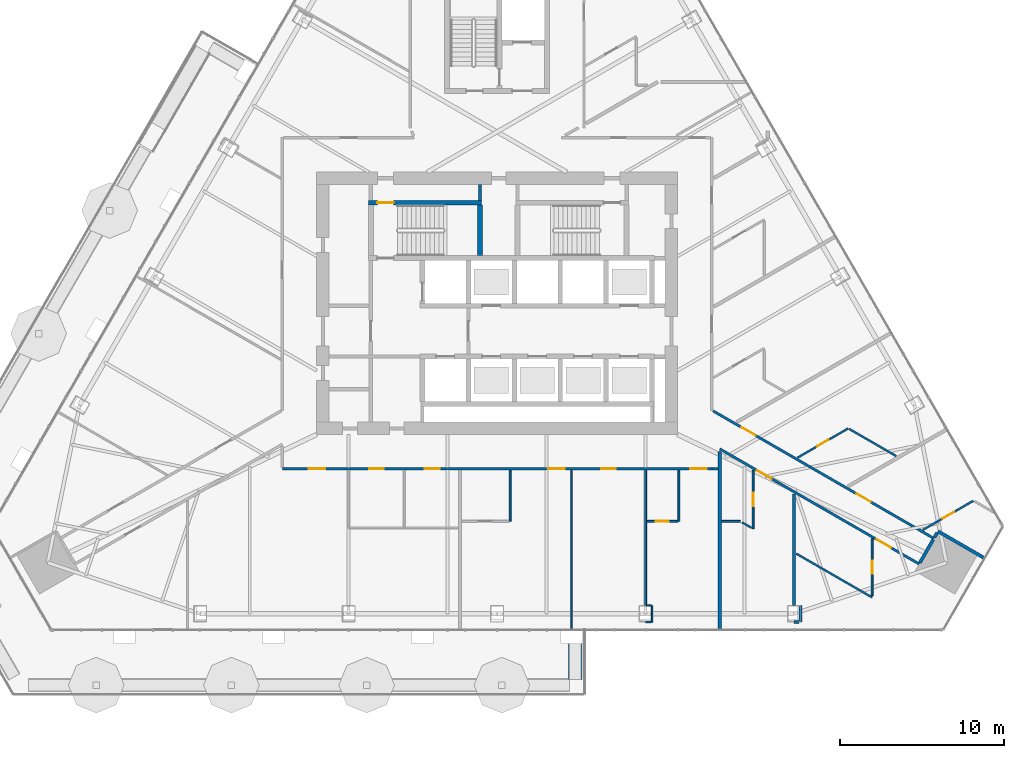
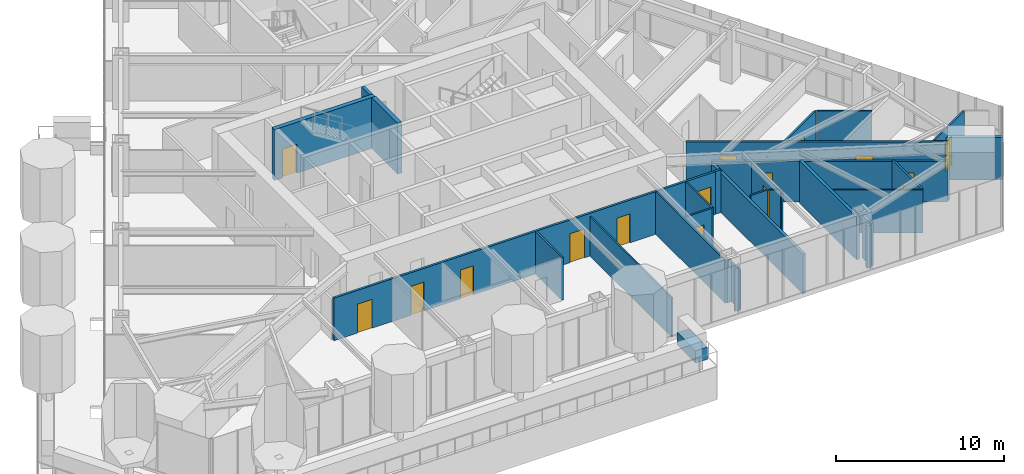
# One storey, part 26 of 32: 31 walls, 16 doors, 16 openings.
"""IFC4 building model written with IfcOpenShell, lengths in metres."""

from ifc_helpers import new_model, si_unit, direction, frame, frame_2d, origin, place, context, subcontext, project, spatial, rectangle, extrude, material, layer, layer_set, type_object, element, fill, save


model = new_model("IFC4")

# Units and contexts
model_context = context("Model", 3, precision=1e-05, world=origin(), true_north=direction((0.0, 1.0)))
body_context = subcontext(model_context, "Body", "Model", "MODEL_VIEW")
ifc_project = project(units=[si_unit("LENGTHUNIT", "METRE"), si_unit("AREAUNIT", "SQUARE_METRE"), si_unit("VOLUMEUNIT", "CUBIC_METRE"), si_unit("PLANEANGLEUNIT", "RADIAN"), si_unit("MASSUNIT", "GRAM", prefix="KILO")], contexts=[model_context])

# Site, building, storey
site_placement = place(None, origin())
site = spatial("IfcSite", under=ifc_project, at=site_placement, CompositionType="ELEMENT")
building_placement = place(site_placement, origin())
building = spatial("IfcBuilding", under=site, at=building_placement, Name="Firuza Gate Tower and Library", CompositionType="ELEMENT")
storey_placement = place(building_placement, frame((0.0, 0.0, 163.60009765625)))
storey = spatial("IfcBuildingStorey", under=building, at=storey_placement, Name="L37", CompositionType="ELEMENT", Elevation=163.60009765625)

# Wall
ifc_material_1 = material(Name="Plasterboard on steel studs", Category="steel")
ifc_layer_1 = layer(ifc_material_1, 0.199951171875)
ifc_layer_set_1 = layer_set([ifc_layer_1], Name="Core partition 200 EI 60")
wall_type_1 = type_object("IfcWallType", Name="Core partition 200 EI 60", PredefinedType="PARTITIONING", material=ifc_layer_set_1)
wall_1_placement = place(storey_placement, frame((73.9599609375, 81.280029296875, 0.0), z_axis=(0.0, 0.0, 1.0), x_axis=(0.0, 1.0, 0.0)))
element("IfcWall", 1, at=wall_1_placement, inside=storey, type_object=wall_type_1, Name="Core partition L37 12", PredefinedType="PARTITIONING", context=body_context, shape_type="SweptSolid", body=[
    extrude(rectangle(XDim=0.969970703125, YDim=0.199951171875, at=frame_2d((0.48486328125, 0.0))), origin(), (0.0, 0.0, 1.0), 3.699951171875),
])

# Wall, opening, door
ifc_material_2 = material(Name="Concrete C80/95", Category="concrete")
ifc_layer_2 = layer(ifc_material_2, 0.300048828125)
ifc_layer_set_2 = layer_set([ifc_layer_2], Name="Core wall 300 C80/95")
wall_type_2 = type_object("IfcWallType", Name="Core wall 300 C80/95", PredefinedType="SHEAR", material=ifc_layer_set_2)
wall_2_placement = place(storey_placement, frame((67.14990234375, 81.1298828125, 0.0), z_axis=(0.0, 0.0, 1.0), x_axis=(1.0, 0.0, 0.0)))
wall_2 = element("IfcWall", 2, at=wall_2_placement, inside=storey, type_object=wall_type_2, Name="Core wall L37 21", PredefinedType="SHEAR", context=body_context, shape_type="SweptSolid", body=[
    extrude(rectangle(XDim=6.91015625, YDim=0.300048828125, at=frame_2d((3.455078125, 0.0))), origin(), (0.0, 0.0, 1.0), 3.699951171875),
])
opening_1_placement = place(wall_2_placement, frame((0.544921875, 0.0, 0.0)))
opening_1 = element("IfcOpeningElement", 3, at=opening_1_placement, cuts=wall_2, Name="Opening L37-K11", PredefinedType="OPENING", context=body_context, shape_type="SweptSolid", body=[
    extrude(rectangle(XDim=1.0, YDim=2.10009765625, at=frame_2d((0.5, 1.050048828125))), frame((0.0, 0.16015625, 0.0), z_axis=(0.0, -1.0, 0.0), x_axis=(1.0, 0.0, 0.0)), (0.0, 0.0, 1.0), 0.320068359375),
])
ifc_material_3 = material(Name="Steel", Category="steel")
door_type_1 = type_object("IfcDoorType", Name="Fire door 1000x2100 FD90", OperationType="NOTDEFINED", PredefinedType="DOOR", material=ifc_material_3)
door_1_placement = place(opening_1_placement, origin())
door_1 = element("IfcDoor", 4, at=door_1_placement, inside=storey, type_object=door_type_1, Name="Door L37-K11", OperationType="SINGLE_SWING_RIGHT", OverallHeight=2.10009765625, OverallWidth=1.0, PredefinedType="DOOR", context=body_context, shape_type="SweptSolid", body=[
    extrude(rectangle(XDim=1.0, YDim=2.10009765625, at=frame_2d((0.5, 1.050048828125))), frame((0.0, 0.02490234375, 0.0), z_axis=(0.0, -1.0, 0.0), x_axis=(1.0, 0.0, 0.0)), (0.0, 0.0, 1.0), 0.050048828125),
])
fill(opening_1, door_1)

# Wall
wall_3_placement = place(storey_placement, frame((73.9599609375, 77.89990234375, 0.0), z_axis=(0.0, 0.0, 1.0), x_axis=(0.0, 1.0, 0.0)))
element("IfcWall", 5, at=wall_3_placement, inside=storey, type_object=wall_type_2, Name="Core wall L37 24", PredefinedType="SHEAR", context=body_context, shape_type="SweptSolid", body=[
    extrude(rectangle(XDim=3.080078125, YDim=0.300048828125, at=frame_2d((1.5400390625, 0.0))), origin(), (0.0, 0.0, 1.0), 3.699951171875),
])

# Wall, openings, doors
ifc_material_4 = material(Name="Gypsum board partition")
ifc_layer_3 = layer(ifc_material_4, 0.14990234375)
ifc_layer_set_3 = layer_set([ifc_layer_3], Name="Corridor wall 150 double board on steel studs")
wall_type_3 = type_object("IfcWallType", Name="Corridor wall 150 double board on steel studs", PredefinedType="PARTITIONING", material=ifc_layer_set_3)
wall_4_placement = place(storey_placement, frame((88.099609375, 64.89990234375, 0.0), z_axis=(0.0, 0.0, 1.0), x_axis=(-1.0, 0.0, 0.0)))
wall_4 = element("IfcWall", 6, at=wall_4_placement, inside=storey, type_object=wall_type_3, Name="f:L37:w007", PredefinedType="PARTITIONING", context=body_context, shape_type="SweptSolid", body=[
    extrude(rectangle(XDim=26.19921875, YDim=0.14990234375, at=frame_2d((13.099609375, 0.0))), origin(), (0.0, 0.0, 1.0), 3.099853515625),
])
opening_2_placement = place(wall_4_placement, frame((0.32177734375, 0.0, 0.0)))
opening_2 = element("IfcOpeningElement", 7, at=opening_2_placement, cuts=wall_4, Name="Opening L37-03", PredefinedType="OPENING", context=body_context, shape_type="SweptSolid", body=[
    extrude(rectangle(XDim=1.0, YDim=2.10009765625, at=frame_2d((0.5, 1.050048828125))), frame((0.0, 0.0849609375, 0.0), z_axis=(0.0, -1.0, 0.0), x_axis=(1.0, 0.0, 0.0)), (0.0, 0.0, 1.0), 0.169921875),
])
opening_3_placement = place(wall_4_placement, frame((5.859130859375, 0.0, 0.0)))
opening_3 = element("IfcOpeningElement", 8, at=opening_3_placement, cuts=wall_4, Name="Opening L37-04", PredefinedType="OPENING", context=body_context, shape_type="SweptSolid", body=[
    extrude(rectangle(XDim=0.89990234375, YDim=2.10009765625, at=frame_2d((0.449951171875, 1.050048828125))), frame((0.0, 0.0849609375, 0.0), z_axis=(0.0, -1.0, 0.0), x_axis=(1.0, 0.0, 0.0)), (0.0, 0.0, 1.0), 0.169921875),
])
opening_4_placement = place(wall_4_placement, frame((8.980712890625, 0.0, 0.0)))
opening_4 = element("IfcOpeningElement", 9, at=opening_4_placement, cuts=wall_4, Name="Opening L37-05", PredefinedType="OPENING", context=body_context, shape_type="SweptSolid", body=[
    extrude(rectangle(XDim=1.0, YDim=2.10009765625, at=frame_2d((0.5, 1.050048828125))), frame((0.0, 0.0849609375, 0.0), z_axis=(0.0, -1.0, 0.0), x_axis=(1.0, 0.0, 0.0)), (0.0, 0.0, 1.0), 0.169921875),
])
opening_5_placement = place(wall_4_placement, frame((16.610595703125, 0.0, 0.0)))
opening_5 = element("IfcOpeningElement", 10, at=opening_5_placement, cuts=wall_4, Name="Opening L37-06", PredefinedType="OPENING", context=body_context, shape_type="SweptSolid", body=[
    extrude(rectangle(XDim=0.89990234375, YDim=2.10009765625, at=frame_2d((0.449951171875, 1.050048828125))), frame((0.0, 0.0849609375, 0.0), z_axis=(0.0, -1.0, 0.0), x_axis=(1.0, 0.0, 0.0)), (0.0, 0.0, 1.0), 0.169921875),
])
opening_6_placement = place(wall_4_placement, frame((20.005859375, 0.0, 0.0)))
opening_6 = element("IfcOpeningElement", 11, at=opening_6_placement, cuts=wall_4, Name="Opening L37-07", PredefinedType="OPENING", context=body_context, shape_type="SweptSolid", body=[
    extrude(rectangle(XDim=0.89990234375, YDim=2.10009765625, at=frame_2d((0.449951171875, 1.050048828125))), frame((0.0, 0.0849609375, 0.0), z_axis=(0.0, -1.0, 0.0), x_axis=(1.0, 0.0, 0.0)), (0.0, 0.0, 1.0), 0.169921875),
])
opening_7_placement = place(wall_4_placement, frame((23.57470703125, 0.0, 0.0)))
opening_7 = element("IfcOpeningElement", 12, at=opening_7_placement, cuts=wall_4, Name="Opening L37-08", PredefinedType="OPENING", context=body_context, shape_type="SweptSolid", body=[
    extrude(rectangle(XDim=1.0, YDim=2.10009765625, at=frame_2d((0.5, 1.050048828125))), frame((0.0, 0.0849609375, 0.0), z_axis=(0.0, -1.0, 0.0), x_axis=(1.0, 0.0, 0.0)), (0.0, 0.0, 1.0), 0.169921875),
])
ifc_material_5 = material(Name="Steel door and timber leaf", Category="steel")
door_type_2 = type_object("IfcDoorType", Name="Fire door 1000 x 2100 steel frame, timber leaf", OperationType="NOTDEFINED", PredefinedType="DOOR", material=ifc_material_5)
door_2_placement = place(opening_2_placement, origin())
door_2 = element("IfcDoor", 13, at=door_2_placement, inside=storey, type_object=door_type_2, Name="f:L37:d003", OperationType="SINGLE_SWING_LEFT", OverallHeight=2.10009765625, OverallWidth=1.0, PredefinedType="DOOR", context=body_context, shape_type="SweptSolid", body=[
    extrude(rectangle(XDim=1.0, YDim=2.10009765625, at=frame_2d((0.5, 1.050048828125))), frame((0.0, 0.02490234375, 0.0), z_axis=(0.0, -1.0, 0.0), x_axis=(1.0, 0.0, 0.0)), (0.0, 0.0, 1.0), 0.050048828125),
])
fill(opening_2, door_2)
door_3_placement = place(opening_4_placement, origin())
door_3 = element("IfcDoor", 14, at=door_3_placement, inside=storey, type_object=door_type_2, Name="f:L37:d005", OperationType="SINGLE_SWING_RIGHT", OverallHeight=2.10009765625, OverallWidth=1.0, PredefinedType="DOOR", context=body_context, shape_type="SweptSolid", body=[
    extrude(rectangle(XDim=1.0, YDim=2.10009765625, at=frame_2d((0.5, 1.050048828125))), frame((0.0, 0.02490234375, 0.0), z_axis=(0.0, -1.0, 0.0), x_axis=(1.0, 0.0, 0.0)), (0.0, 0.0, 1.0), 0.050048828125),
])
fill(opening_4, door_3)
door_4_placement = place(opening_7_placement, origin())
door_4 = element("IfcDoor", 15, at=door_4_placement, inside=storey, type_object=door_type_2, Name="f:L37:d008", OperationType="SINGLE_SWING_LEFT", OverallHeight=2.10009765625, OverallWidth=1.0, PredefinedType="DOOR", context=body_context, shape_type="SweptSolid", body=[
    extrude(rectangle(XDim=1.0, YDim=2.10009765625, at=frame_2d((0.5, 1.050048828125))), frame((0.0, 0.02490234375, 0.0), z_axis=(0.0, -1.0, 0.0), x_axis=(1.0, 0.0, 0.0)), (0.0, 0.0, 1.0), 0.050048828125),
])
fill(opening_7, door_4)
ifc_material_6 = material(Name="Steel door and timber leaf", Category="steel")
door_type_3 = type_object("IfcDoorType", Name="Fire door 900 x 2100 steel frame, timber leaf", OperationType="NOTDEFINED", PredefinedType="DOOR", material=ifc_material_6)
door_5_placement = place(opening_3_placement, origin())
door_5 = element("IfcDoor", 16, at=door_5_placement, inside=storey, type_object=door_type_3, Name="f:L37:d004", OperationType="SINGLE_SWING_RIGHT", OverallHeight=2.10009765625, OverallWidth=0.89990234375, PredefinedType="DOOR", context=body_context, shape_type="SweptSolid", body=[
    extrude(rectangle(XDim=0.89990234375, YDim=2.10009765625, at=frame_2d((0.449951171875, 1.050048828125))), frame((0.0, 0.02490234375, 0.0), z_axis=(0.0, -1.0, 0.0), x_axis=(1.0, 0.0, 0.0)), (0.0, 0.0, 1.0), 0.050048828125),
])
fill(opening_3, door_5)
door_6_placement = place(opening_5_placement, origin())
door_6 = element("IfcDoor", 17, at=door_6_placement, inside=storey, type_object=door_type_3, Name="f:L37:d006", OperationType="SINGLE_SWING_LEFT", OverallHeight=2.10009765625, OverallWidth=0.89990234375, PredefinedType="DOOR", context=body_context, shape_type="SweptSolid", body=[
    extrude(rectangle(XDim=0.89990234375, YDim=2.10009765625, at=frame_2d((0.449951171875, 1.050048828125))), frame((0.0, 0.02490234375, 0.0), z_axis=(0.0, -1.0, 0.0), x_axis=(1.0, 0.0, 0.0)), (0.0, 0.0, 1.0), 0.050048828125),
])
fill(opening_5, door_6)
door_7_placement = place(opening_6_placement, origin())
door_7 = element("IfcDoor", 18, at=door_7_placement, inside=storey, type_object=door_type_3, Name="f:L37:d007", OperationType="SINGLE_SWING_RIGHT", OverallHeight=2.10009765625, OverallWidth=0.89990234375, PredefinedType="DOOR", context=body_context, shape_type="SweptSolid", body=[
    extrude(rectangle(XDim=0.89990234375, YDim=2.10009765625, at=frame_2d((0.449951171875, 1.050048828125))), frame((0.0, 0.02490234375, 0.0), z_axis=(0.0, -1.0, 0.0), x_axis=(1.0, 0.0, 0.0)), (0.0, 0.0, 1.0), 0.050048828125),
])
fill(opening_6, door_7)

# Wall
wall_5_placement = place(storey_placement, frame((88.10009765625, 64.9189453125, 0.0), z_axis=(0.0, 0.0, 1.0), x_axis=(1.0, 0.0, 0.0)))
element("IfcWall", 19, at=wall_5_placement, inside=storey, type_object=wall_type_3, Name="f:L37:w008", PredefinedType="PARTITIONING", context=body_context, shape_type="SweptSolid", body=[
    extrude(rectangle(XDim=0.380859375, YDim=0.14990234375, at=frame_2d((0.1904296875, 0.0))), origin(), (0.0, 0.0, 1.0), 3.099853515625),
])

# Wall, openings, doors
wall_6_placement = place(storey_placement, frame((88.175048828125, 68.4326171875, 0.0), z_axis=(0.0, 0.0, 1.0), x_axis=(0.866030530892, -0.499991119485, 0.0)))
wall_6 = element("IfcWall", 20, at=wall_6_placement, inside=storey, type_object=wall_type_3, Name="f:L37:w074", PredefinedType="PARTITIONING", context=body_context, shape_type="SweptSolid", body=[
    extrude(rectangle(XDim=15.548583984375, YDim=0.14990234375, at=frame_2d((7.7744140625, 0.0))), origin(), (0.0, 0.0, 1.0), 3.099853515625),
])
opening_8_placement = place(wall_6_placement, frame((2.0029296875, 0.0, 0.0)))
opening_8 = element("IfcOpeningElement", 21, at=opening_8_placement, cuts=wall_6, Name="Opening L37-31", PredefinedType="OPENING", context=body_context, shape_type="SweptSolid", body=[
    extrude(rectangle(XDim=1.0, YDim=2.10009765625, at=frame_2d((0.5, 1.050048828125))), frame((0.0, 0.0849609375, 0.0), z_axis=(0.0, -1.0, 0.0), x_axis=(1.0, 0.0, 0.0)), (0.0, 0.0, 1.0), 0.169921875),
])
opening_9_placement = place(wall_6_placement, frame((10.096435546875, 0.0, 0.0)))
opening_9 = element("IfcOpeningElement", 22, at=opening_9_placement, cuts=wall_6, Name="Opening L37-32", PredefinedType="OPENING", context=body_context, shape_type="SweptSolid", body=[
    extrude(rectangle(XDim=1.0, YDim=2.10009765625, at=frame_2d((0.5, 1.050048828125))), frame((0.0, 0.0849609375, 0.0), z_axis=(0.0, -1.0, 0.0), x_axis=(1.0, 0.0, 0.0)), (0.0, 0.0, 1.0), 0.169921875),
])
door_8_placement = place(opening_8_placement, origin())
door_8 = element("IfcDoor", 23, at=door_8_placement, inside=storey, type_object=door_type_2, Name="f:L37:d031", OperationType="SINGLE_SWING_LEFT", OverallHeight=2.10009765625, OverallWidth=1.0, PredefinedType="DOOR", context=body_context, shape_type="SweptSolid", body=[
    extrude(rectangle(XDim=1.0, YDim=2.10009765625, at=frame_2d((0.5, 1.050048828125))), frame((0.0, 0.02490234375, 0.0), z_axis=(0.0, -1.0, 0.0), x_axis=(1.0, 0.0, 0.0)), (0.0, 0.0, 1.0), 0.050048828125),
])
fill(opening_8, door_8)
door_9_placement = place(opening_9_placement, origin())
door_9 = element("IfcDoor", 24, at=door_9_placement, inside=storey, type_object=door_type_2, Name="f:L37:d032", OperationType="SINGLE_SWING_LEFT", OverallHeight=2.10009765625, OverallWidth=1.0, PredefinedType="DOOR", context=body_context, shape_type="SweptSolid", body=[
    extrude(rectangle(XDim=1.0, YDim=2.10009765625, at=frame_2d((0.5, 1.050048828125))), frame((0.0, 0.02490234375, 0.0), z_axis=(0.0, -1.0, 0.0), x_axis=(1.0, 0.0, 0.0)), (0.0, 0.0, 1.0), 0.050048828125),
])
fill(opening_9, door_9)

wall_7_placement = place(storey_placement, frame((100.740234375, 59.099853515625, 0.0), z_axis=(0.0, 0.0, 1.0), x_axis=(-0.866028060244, 0.499995398849, 0.0)))
wall_7 = element("IfcWall", 25, at=wall_7_placement, inside=storey, type_object=wall_type_3, Name="f:L37:w077", PredefinedType="PARTITIONING", context=body_context, shape_type="SweptSolid", body=[
    extrude(rectangle(XDim=14.040283203125, YDim=0.14990234375, at=frame_2d((7.02001953125, 0.0))), origin(), (0.0, 0.0, 1.0), 2.947021484375),
])
opening_10_placement = place(wall_7_placement, frame((1.994384765625, 0.0, 0.0)))
opening_10 = element("IfcOpeningElement", 26, at=opening_10_placement, cuts=wall_7, Name="Opening L37-33", PredefinedType="OPENING", context=body_context, shape_type="SweptSolid", body=[
    extrude(rectangle(XDim=1.0, YDim=2.10009765625, at=frame_2d((0.5, 1.050048828125))), frame((0.0, 0.0849609375, 0.0), z_axis=(0.0, -1.0, 0.0), x_axis=(1.0, 0.0, 0.0)), (0.0, 0.0, 1.0), 0.169921875),
])
opening_11_placement = place(wall_7_placement, frame((10.40869140625, 0.0, 0.0)))
opening_11 = element("IfcOpeningElement", 27, at=opening_11_placement, cuts=wall_7, Name="Opening L37-34", PredefinedType="OPENING", context=body_context, shape_type="SweptSolid", body=[
    extrude(rectangle(XDim=1.0, YDim=2.10009765625, at=frame_2d((0.5, 1.050048828125))), frame((0.0, 0.0849609375, 0.0), z_axis=(0.0, -1.0, 0.0), x_axis=(1.0, 0.0, 0.0)), (0.0, 0.0, 1.0), 0.169921875),
])
door_10_placement = place(opening_10_placement, origin())
door_10 = element("IfcDoor", 28, at=door_10_placement, inside=storey, type_object=door_type_2, Name="f:L37:d033", OperationType="SINGLE_SWING_RIGHT", OverallHeight=2.10009765625, OverallWidth=1.0, PredefinedType="DOOR", context=body_context, shape_type="SweptSolid", body=[
    extrude(rectangle(XDim=1.0, YDim=2.10009765625, at=frame_2d((0.5, 1.050048828125))), frame((0.0, 0.02490234375, 0.0), z_axis=(0.0, -1.0, 0.0), x_axis=(1.0, 0.0, 0.0)), (0.0, 0.0, 1.0), 0.050048828125),
])
fill(opening_10, door_10)
door_11_placement = place(opening_11_placement, origin())
door_11 = element("IfcDoor", 29, at=door_11_placement, inside=storey, type_object=door_type_2, Name="f:L37:d034", OperationType="SINGLE_SWING_RIGHT", OverallHeight=2.10009765625, OverallWidth=1.0, PredefinedType="DOOR", context=body_context, shape_type="SweptSolid", body=[
    extrude(rectangle(XDim=1.0, YDim=2.10009765625, at=frame_2d((0.5, 1.050048828125))), frame((0.0, 0.02490234375, 0.0), z_axis=(0.0, -1.0, 0.0), x_axis=(1.0, 0.0, 0.0)), (0.0, 0.0, 1.0), 0.050048828125),
])
fill(opening_11, door_11)

# Walls
ifc_material_7 = material(Name="Gypsum board partition")
ifc_layer_4 = layer(ifc_material_7, 0.199951171875)
ifc_layer_set_4 = layer_set([ifc_layer_4], Name="Demising wall 200 acoustic double stud")
wall_type_4 = type_object("IfcWallType", Name="Demising wall 200 acoustic double stud", PredefinedType="PARTITIONING", material=ifc_layer_set_4)
wall_8_placement = place(storey_placement, frame((93.10791015625, 55.56103515625, 0.0), z_axis=(0.0, 0.0, 1.0), x_axis=(1.0, 0.0, 0.0)))
element("IfcWall", 30, at=wall_8_placement, inside=storey, type_object=wall_type_4, Name="f:L37:w001", PredefinedType="PARTITIONING", context=body_context, shape_type="SweptSolid", body=[
    extrude(rectangle(XDim=0.299560546875, YDim=0.199951171875, at=frame_2d((0.14990234375, 0.0))), origin(), (0.0, 0.0, 1.0), 3.099853515625),
])
wall_9_placement = place(storey_placement, frame((100.778076171875, 59.1650390625, 0.0), z_axis=(0.0, 0.0, 1.0), x_axis=(0.500102515474, 0.865966208357, 0.0)))
element("IfcWall", 31, at=wall_9_placement, inside=storey, type_object=wall_type_4, Name="f:L37:w036", PredefinedType="PARTITIONING", context=body_context, shape_type="SweptSolid", body=[
    extrude(rectangle(XDim=1.649658203125, YDim=0.199951171875, at=frame_2d((0.82470703125, 0.0))), origin(), (0.0, 0.0, 1.0), 2.947021484375),
])
wall_10_placement = place(storey_placement, frame((93.508056640625, 55.5615234375, 0.0), z_axis=(0.0, 0.0, 1.0), x_axis=(0.0, 1.0, 0.0)))
element("IfcWall", 32, at=wall_10_placement, inside=storey, type_object=wall_type_4, Name="f:L37:w040", PredefinedType="PARTITIONING", context=body_context, shape_type="SweptSolid", body=[
    extrude(rectangle(XDim=0.9990234375, YDim=0.199951171875, at=frame_2d((0.49951171875, 0.0))), origin(), (0.0, 0.0, 1.0), 3.099853515625),
])
wall_11_placement = place(storey_placement, frame((93.10791015625, 56.56103515625, 0.0), z_axis=(0.0, 0.0, 1.0), x_axis=(0.0, 1.0, 0.0)))
element("IfcWall", 33, at=wall_11_placement, inside=storey, type_object=wall_type_4, Name="f:L37:w041", PredefinedType="PARTITIONING", context=body_context, shape_type="SweptSolid", body=[
    extrude(rectangle(XDim=6.798583984375, YDim=0.199951171875, at=frame_2d((3.3994140625, 0.0))), origin(), (0.0, 0.0, 1.0), 3.099853515625),
])
wall_12_placement = place(storey_placement, frame((88.5810546875, 55.10107421875, 0.0), z_axis=(0.0, 0.0, 1.0), x_axis=(0.0, 1.0, 0.0)))
element("IfcWall", 34, at=wall_12_placement, inside=storey, type_object=wall_type_4, Name="f:L37:w046", PredefinedType="PARTITIONING", context=body_context, shape_type="SweptSolid", body=[
    extrude(rectangle(XDim=10.8720703125, YDim=0.199951171875, at=frame_2d((5.43603515625, 0.0))), origin(), (0.0, 0.0, 1.0), 2.864990234375),
])
wall_13_placement = place(storey_placement, frame((104.7138671875, 59.46142578125, 0.0), z_axis=(0.0, 0.0, 1.0), x_axis=(-0.866035906198, 0.499981808845, 0.0)))
element("IfcWall", 35, at=wall_13_placement, inside=storey, type_object=wall_type_4, Name="f:L37:w073", PredefinedType="PARTITIONING", context=body_context, shape_type="SweptSolid", body=[
    extrude(rectangle(XDim=3.25927734375, YDim=0.199951171875, at=frame_2d((1.629638671875, 0.0))), origin(), (0.0, 0.0, 1.0), 3.099853515625),
])
wall_14_placement = place(storey_placement, frame((101.677978515625, 60.723388671875, 0.0), z_axis=(0.0, 0.0, 1.0), x_axis=(0.499700736801, 0.866198114545, 0.0)))
element("IfcWall", 36, at=wall_14_placement, inside=storey, type_object=wall_type_4, Name="f:L37:w085", PredefinedType="PARTITIONING", context=body_context, shape_type="SweptSolid", body=[
    extrude(rectangle(XDim=0.324462890625, YDim=0.199951171875, at=frame_2d((0.162109375, 0.0))), origin(), (0.0, 0.0, 1.0), 3.099853515625),
])
ifc_material_8 = material(Name="Gypsum board partition")
ifc_layer_5 = layer(ifc_material_8, 0.10009765625)
ifc_layer_set_5 = layer_set([ifc_layer_5], Name="Partition 100 gypsum board on steel studs")
wall_type_5 = type_object("IfcWallType", Name="Partition 100 gypsum board on steel studs", PredefinedType="PARTITIONING", material=ifc_layer_set_5)
wall_15_placement = place(storey_placement, frame((84.053955078125, 55.56103515625, 0.0), z_axis=(0.0, 0.0, 1.0), x_axis=(1.0, 0.0, 0.0)))
element("IfcWall", 37, at=wall_15_placement, inside=storey, type_object=wall_type_5, Name="f:L37:w000", PredefinedType="PARTITIONING", context=body_context, shape_type="SweptSolid", body=[
    extrude(rectangle(XDim=0.349609375, YDim=0.10009765625, at=frame_2d((0.1748046875, 0.0))), origin(), (0.0, 0.0, 1.0), 3.099853515625),
])
wall_16_placement = place(storey_placement, frame((84.114013671875, 56.56103515625, 0.0), z_axis=(0.0, 0.0, 1.0), x_axis=(1.0, 0.0, 0.0)))
element("IfcWall", 38, at=wall_16_placement, inside=storey, type_object=wall_type_5, Name="f:L37:w002", PredefinedType="PARTITIONING", context=body_context, shape_type="SweptSolid", body=[
    extrude(rectangle(XDim=0.28955078125, YDim=0.10009765625, at=frame_2d((0.144775390625, 0.0))), origin(), (0.0, 0.0, 1.0), 3.099853515625),
])
wall_17_placement = place(storey_placement, frame((84.4541015625, 55.5615234375, 0.0), z_axis=(0.0, 0.0, 1.0), x_axis=(0.0, 1.0, 0.0)))
element("IfcWall", 39, at=wall_17_placement, inside=storey, type_object=wall_type_5, Name="f:L37:w049", PredefinedType="PARTITIONING", context=body_context, shape_type="SweptSolid", body=[
    extrude(rectangle(XDim=0.9990234375, YDim=0.10009765625, at=frame_2d((0.49951171875, 0.0))), origin(), (0.0, 0.0, 1.0), 2.864990234375),
])
wall_18_placement = place(storey_placement, frame((79.527099609375, 55.10107421875, 0.0), z_axis=(0.0, 0.0, 1.0), x_axis=(0.0, 1.0, 0.0)))
element("IfcWall", 40, at=wall_18_placement, inside=storey, type_object=wall_type_5, Name="f:L37:w054", PredefinedType="PARTITIONING", context=body_context, shape_type="SweptSolid", body=[
    extrude(rectangle(XDim=9.723876953125, YDim=0.10009765625, at=frame_2d((4.86181640625, 0.0))), origin(), (0.0, 0.0, 1.0), 2.864990234375),
])
ifc_material_9 = material(Name="Concrete C40/50", Category="concrete")
ifc_layer_6 = layer(ifc_material_9, 0.800048828125)
ifc_layer_set_6 = layer_set([ifc_layer_6], Name="Planter wall 800")
wall_type_6 = type_object("IfcWallType", Name="Planter wall 800", PredefinedType="SOLIDWALL", material=ifc_layer_set_6)
wall_19_placement = place(storey_placement, frame((79.765869140625, 52.06103515625, 0.0), z_axis=(0.0, 0.0, 1.0), x_axis=(0.0, 1.0, 0.0)))
element("IfcWall", 41, at=wall_19_placement, inside=storey, type_object=wall_type_6, Name="PLANTER L37 5", PredefinedType="SOLIDWALL", context=body_context, shape_type="SweptSolid", body=[
    extrude(rectangle(XDim=2.2001953125, YDim=0.800048828125, at=frame_2d((1.10009765625, 0.0))), origin(), (0.0, 0.0, 1.0), 0.89990234375),
])

# Wall, opening, door
ifc_material_10 = material(Name="Gypsum board partition")
ifc_layer_7 = layer(ifc_material_10, 0.1201171875)
ifc_layer_set_7 = layer_set([ifc_layer_7], Name="Wet-area partition 120 moisture-resistant board")
wall_type_7 = type_object("IfcWallType", Name="Wet-area partition 120 moisture-resistant board", PredefinedType="PARTITIONING", material=ifc_layer_set_7)
wall_20_placement = place(storey_placement, frame((84.1240234375, 61.699951171875, 0.0), z_axis=(0.0, 0.0, 1.0), x_axis=(1.0, 0.0, 0.0)))
wall_20 = element("IfcWall", 42, at=wall_20_placement, inside=storey, type_object=wall_type_7, Name="f:L37:w005", PredefinedType="PARTITIONING", context=body_context, shape_type="SweptSolid", body=[
    extrude(rectangle(XDim=1.897216796875, YDim=0.1201171875, at=frame_2d((0.94873046875, 0.0))), origin(), (0.0, 0.0, 1.0), 3.099853515625),
])
opening_12_placement = place(wall_20_placement, frame((0.548583984375, 0.0, 0.0)))
opening_12 = element("IfcOpeningElement", 43, at=opening_12_placement, cuts=wall_20, Name="Opening L37-02", PredefinedType="OPENING", context=body_context, shape_type="SweptSolid", body=[
    extrude(rectangle(XDim=0.800048828125, YDim=2.10009765625, at=frame_2d((0.39990234375, 1.050048828125))), frame((0.0, 0.070068359375, 0.0), z_axis=(0.0, -1.0, 0.0), x_axis=(1.0, 0.0, 0.0)), (0.0, 0.0, 1.0), 0.14013671875),
])
ifc_material_11 = material(Name="Timber door", Category="wood")
door_type_4 = type_object("IfcDoorType", Name="Door 800 x 2100 timber leaf", OperationType="NOTDEFINED", PredefinedType="DOOR", material=ifc_material_11)
door_12_placement = place(opening_12_placement, origin())
door_12 = element("IfcDoor", 44, at=door_12_placement, inside=storey, type_object=door_type_4, Name="f:L37:d002", OperationType="SINGLE_SWING_LEFT", OverallHeight=2.10009765625, OverallWidth=0.800048828125, PredefinedType="DOOR", context=body_context, shape_type="SweptSolid", body=[
    extrude(rectangle(XDim=0.800048828125, YDim=2.10009765625, at=frame_2d((0.39990234375, 1.050048828125))), frame((0.0, 0.02490234375, 0.0), z_axis=(0.0, -1.0, 0.0), x_axis=(1.0, 0.0, 0.0)), (0.0, 0.0, 1.0), 0.050048828125),
])
fill(opening_12, door_12)

# Wall
wall_21_placement = place(storey_placement, frame((88.69091796875, 61.699951171875, 0.0), z_axis=(0.0, 0.0, 1.0), x_axis=(1.0, 0.0, 0.0)))
element("IfcWall", 45, at=wall_21_placement, inside=storey, type_object=wall_type_7, Name="f:L37:w006", PredefinedType="PARTITIONING", context=body_context, shape_type="SweptSolid", body=[
    extrude(rectangle(XDim=1.145263671875, YDim=0.1201171875, at=frame_2d((0.57275390625, 0.0))), origin(), (0.0, 0.0, 1.0), 3.099853515625),
])

# Wall, opening, door
wall_22_placement = place(storey_placement, frame((104.05322265625, 62.960693359375, 0.0), z_axis=(0.0, 0.0, 1.0), x_axis=(-0.866045460162, -0.499965259726, 0.0)))
wall_22 = element("IfcWall", 46, at=wall_22_placement, inside=storey, type_object=wall_type_7, Name="f:L37:w017", PredefinedType="PARTITIONING", context=body_context, shape_type="SweptSolid", body=[
    extrude(rectangle(XDim=3.568603515625, YDim=0.1201171875, at=frame_2d((1.7841796875, 0.0))), origin(), (0.0, 0.0, 1.0), 3.099853515625),
])
opening_13_placement = place(wall_22_placement, frame((1.38427734375, 0.0, 0.0)))
opening_13 = element("IfcOpeningElement", 47, at=opening_13_placement, cuts=wall_22, Name="Opening L37-14", PredefinedType="OPENING", context=body_context, shape_type="SweptSolid", body=[
    extrude(rectangle(XDim=0.800048828125, YDim=2.10009765625, at=frame_2d((0.39990234375, 1.050048828125))), frame((0.0, 0.070068359375, 0.0), z_axis=(0.0, -1.0, 0.0), x_axis=(1.0, 0.0, 0.0)), (0.0, 0.0, 1.0), 0.14013671875),
])
door_13_placement = place(opening_13_placement, origin())
door_13 = element("IfcDoor", 48, at=door_13_placement, inside=storey, type_object=door_type_4, Name="f:L37:d014", OperationType="SINGLE_SWING_RIGHT", OverallHeight=2.10009765625, OverallWidth=0.800048828125, PredefinedType="DOOR", context=body_context, shape_type="SweptSolid", body=[
    extrude(rectangle(XDim=0.800048828125, YDim=2.10009765625, at=frame_2d((0.39990234375, 1.050048828125))), frame((0.0, 0.02490234375, 0.0), z_axis=(0.0, -1.0, 0.0), x_axis=(1.0, 0.0, 0.0)), (0.0, 0.0, 1.0), 0.050048828125),
])
fill(opening_13, door_13)

wall_23_placement = place(storey_placement, frame((96.415771484375, 67.36962890625, 0.0), z_axis=(0.0, 0.0, 1.0), x_axis=(-0.866028357664, -0.499994883695, 0.0)))
wall_23 = element("IfcWall", 49, at=wall_23_placement, inside=storey, type_object=wall_type_7, Name="f:L37:w019", PredefinedType="PARTITIONING", context=body_context, shape_type="SweptSolid", body=[
    extrude(rectangle(XDim=3.568359375, YDim=0.1201171875, at=frame_2d((1.7841796875, 0.0))), origin(), (0.0, 0.0, 1.0), 3.099853515625),
])
opening_14_placement = place(wall_23_placement, frame((1.38427734375, 0.0, 0.0)))
opening_14 = element("IfcOpeningElement", 50, at=opening_14_placement, cuts=wall_23, Name="Opening L37-15", PredefinedType="OPENING", context=body_context, shape_type="SweptSolid", body=[
    extrude(rectangle(XDim=0.800048828125, YDim=2.10009765625, at=frame_2d((0.39990234375, 1.050048828125))), frame((0.0, 0.070068359375, 0.0), z_axis=(0.0, -1.0, 0.0), x_axis=(1.0, 0.0, 0.0)), (0.0, 0.0, 1.0), 0.14013671875),
])
door_14_placement = place(opening_14_placement, origin())
door_14 = element("IfcDoor", 51, at=door_14_placement, inside=storey, type_object=door_type_4, Name="f:L37:d015", OperationType="SINGLE_SWING_RIGHT", OverallHeight=2.10009765625, OverallWidth=0.800048828125, PredefinedType="DOOR", context=body_context, shape_type="SweptSolid", body=[
    extrude(rectangle(XDim=0.800048828125, YDim=2.10009765625, at=frame_2d((0.39990234375, 1.050048828125))), frame((0.0, 0.02490234375, 0.0), z_axis=(0.0, -1.0, 0.0), x_axis=(1.0, 0.0, 0.0)), (0.0, 0.0, 1.0), 0.050048828125),
])
fill(opening_14, door_14)

wall_24_placement = place(storey_placement, frame((97.875, 57.16796875, 0.0), z_axis=(0.0, 0.0, 1.0), x_axis=(0.0, 1.0, 0.0)))
wall_24 = element("IfcWall", 52, at=wall_24_placement, inside=storey, type_object=wall_type_7, Name="f:L37:w039", PredefinedType="PARTITIONING", context=body_context, shape_type="SweptSolid", body=[
    extrude(rectangle(XDim=3.459228515625, YDim=0.1201171875, at=frame_2d((1.7294921875, 0.0))), origin(), (0.0, 0.0, 1.0), 3.099853515625),
])
opening_15_placement = place(wall_24_placement, frame((1.32958984375, 0.0, 0.0)))
opening_15 = element("IfcOpeningElement", 53, at=opening_15_placement, cuts=wall_24, Name="Opening L37-23", PredefinedType="OPENING", context=body_context, shape_type="SweptSolid", body=[
    extrude(rectangle(XDim=0.800048828125, YDim=2.10009765625, at=frame_2d((0.39990234375, 1.050048828125))), frame((0.0, 0.070068359375, 0.0), z_axis=(0.0, -1.0, 0.0), x_axis=(1.0, 0.0, 0.0)), (0.0, 0.0, 1.0), 0.14013671875),
])
door_15_placement = place(opening_15_placement, origin())
door_15 = element("IfcDoor", 54, at=door_15_placement, inside=storey, type_object=door_type_4, Name="f:L37:d023", OperationType="SINGLE_SWING_LEFT", OverallHeight=2.10009765625, OverallWidth=0.800048828125, PredefinedType="DOOR", context=body_context, shape_type="SweptSolid", body=[
    extrude(rectangle(XDim=0.800048828125, YDim=2.10009765625, at=frame_2d((0.39990234375, 1.050048828125))), frame((0.0, 0.02490234375, 0.0), z_axis=(0.0, -1.0, 0.0), x_axis=(1.0, 0.0, 0.0)), (0.0, 0.0, 1.0), 0.050048828125),
])
fill(opening_15, door_15)

wall_25_placement = place(storey_placement, frame((90.617919921875, 61.24853515625, 0.0), z_axis=(0.0, 0.0, 1.0), x_axis=(0.0, 1.0, 0.0)))
wall_25 = element("IfcWall", 55, at=wall_25_placement, inside=storey, type_object=wall_type_7, Name="f:L37:w045", PredefinedType="PARTITIONING", context=body_context, shape_type="SweptSolid", body=[
    extrude(rectangle(XDim=3.568603515625, YDim=0.1201171875, at=frame_2d((1.7841796875, 0.0))), origin(), (0.0, 0.0, 1.0), 2.947021484375),
])
opening_16_placement = place(wall_25_placement, frame((1.38427734375, 0.0, 0.0)))
opening_16 = element("IfcOpeningElement", 56, at=opening_16_placement, cuts=wall_25, Name="Opening L37-24", PredefinedType="OPENING", context=body_context, shape_type="SweptSolid", body=[
    extrude(rectangle(XDim=0.800048828125, YDim=2.10009765625, at=frame_2d((0.39990234375, 1.050048828125))), frame((0.0, 0.070068359375, 0.0), z_axis=(0.0, -1.0, 0.0), x_axis=(1.0, 0.0, 0.0)), (0.0, 0.0, 1.0), 0.14013671875),
])
door_16_placement = place(opening_16_placement, origin())
door_16 = element("IfcDoor", 57, at=door_16_placement, inside=storey, type_object=door_type_4, Name="f:L37:d024", OperationType="SINGLE_SWING_LEFT", OverallHeight=2.10009765625, OverallWidth=0.800048828125, PredefinedType="DOOR", context=body_context, shape_type="SweptSolid", body=[
    extrude(rectangle(XDim=0.800048828125, YDim=2.10009765625, at=frame_2d((0.39990234375, 1.050048828125))), frame((0.0, 0.02490234375, 0.0), z_axis=(0.0, -1.0, 0.0), x_axis=(1.0, 0.0, 0.0)), (0.0, 0.0, 1.0), 0.050048828125),
])
fill(opening_16, door_16)

# Walls
wall_26_placement = place(storey_placement, frame((86.091064453125, 61.699951171875, 0.0), z_axis=(0.0, 0.0, 1.0), x_axis=(0.0, 1.0, 0.0)))
element("IfcWall", 58, at=wall_26_placement, inside=storey, type_object=wall_type_7, Name="f:L37:w048", PredefinedType="PARTITIONING", context=body_context, shape_type="SweptSolid", body=[
    extrude(rectangle(XDim=3.125, YDim=0.1201171875, at=frame_2d((1.5625, 0.0))), origin(), (0.0, 0.0, 1.0), 3.099853515625),
])
wall_27_placement = place(storey_placement, frame((84.053955078125, 56.56103515625, 0.0), z_axis=(0.0, 0.0, 1.0), x_axis=(0.0, 1.0, 0.0)))
element("IfcWall", 59, at=wall_27_placement, inside=storey, type_object=wall_type_7, Name="f:L37:w050", PredefinedType="PARTITIONING", context=body_context, shape_type="SweptSolid", body=[
    extrude(rectangle(XDim=8.263916015625, YDim=0.1201171875, at=frame_2d((4.1318359375, 0.0))), origin(), (0.0, 0.0, 1.0), 3.099853515625),
])
wall_28_placement = place(storey_placement, frame((75.7919921875, 61.699951171875, 0.0), z_axis=(0.0, 0.0, 1.0), x_axis=(0.0, 1.0, 0.0)))
element("IfcWall", 60, at=wall_28_placement, inside=storey, type_object=wall_type_7, Name="f:L37:w057", PredefinedType="PARTITIONING", context=body_context, shape_type="SweptSolid", body=[
    extrude(rectangle(XDim=3.125, YDim=0.1201171875, at=frame_2d((1.5625, 0.0))), origin(), (0.0, 0.0, 1.0), 3.099853515625),
])
wall_29_placement = place(storey_placement, frame((99.3369140625, 65.68359375, 0.0), z_axis=(0.0, 0.0, 1.0), x_axis=(-0.866024373554, 0.500001784407, 0.0)))
element("IfcWall", 61, at=wall_29_placement, inside=storey, type_object=wall_type_7, Name="f:L37:w071", PredefinedType="PARTITIONING", context=body_context, shape_type="SweptSolid", body=[
    extrude(rectangle(XDim=3.3037109375, YDim=0.1201171875, at=frame_2d((1.65185546875, 0.0))), origin(), (0.0, 0.0, 1.0), 3.099853515625),
])
wall_30_placement = place(storey_placement, frame((97.87548828125, 57.058837890625, 0.0), z_axis=(0.0, 0.0, 1.0), x_axis=(-0.866041187555, 0.499972660711, 0.0)))
element("IfcWall", 62, at=wall_30_placement, inside=storey, type_object=wall_type_7, Name="f:L37:w078", PredefinedType="PARTITIONING", context=body_context, shape_type="SweptSolid", body=[
    extrude(rectangle(XDim=5.349365234375, YDim=0.1201171875, at=frame_2d((2.6748046875, 0.0))), origin(), (0.0, 0.0, 1.0), 3.099853515625),
])
wall_31_placement = place(storey_placement, frame((90.5234375, 61.30322265625, 0.0), z_axis=(0.0, 0.0, 1.0), x_axis=(-0.865913915833, 0.500193053097, 0.0)))
element("IfcWall", 63, at=wall_31_placement, inside=storey, type_object=wall_type_7, Name="f:L37:w079", PredefinedType="PARTITIONING", context=body_context, shape_type="SweptSolid", body=[
    extrude(rectangle(XDim=0.673583984375, YDim=0.1201171875, at=frame_2d((0.3369140625, 0.0))), origin(), (0.0, 0.0, 1.0), 3.099853515625),
])

save(model, "model.ifc")
